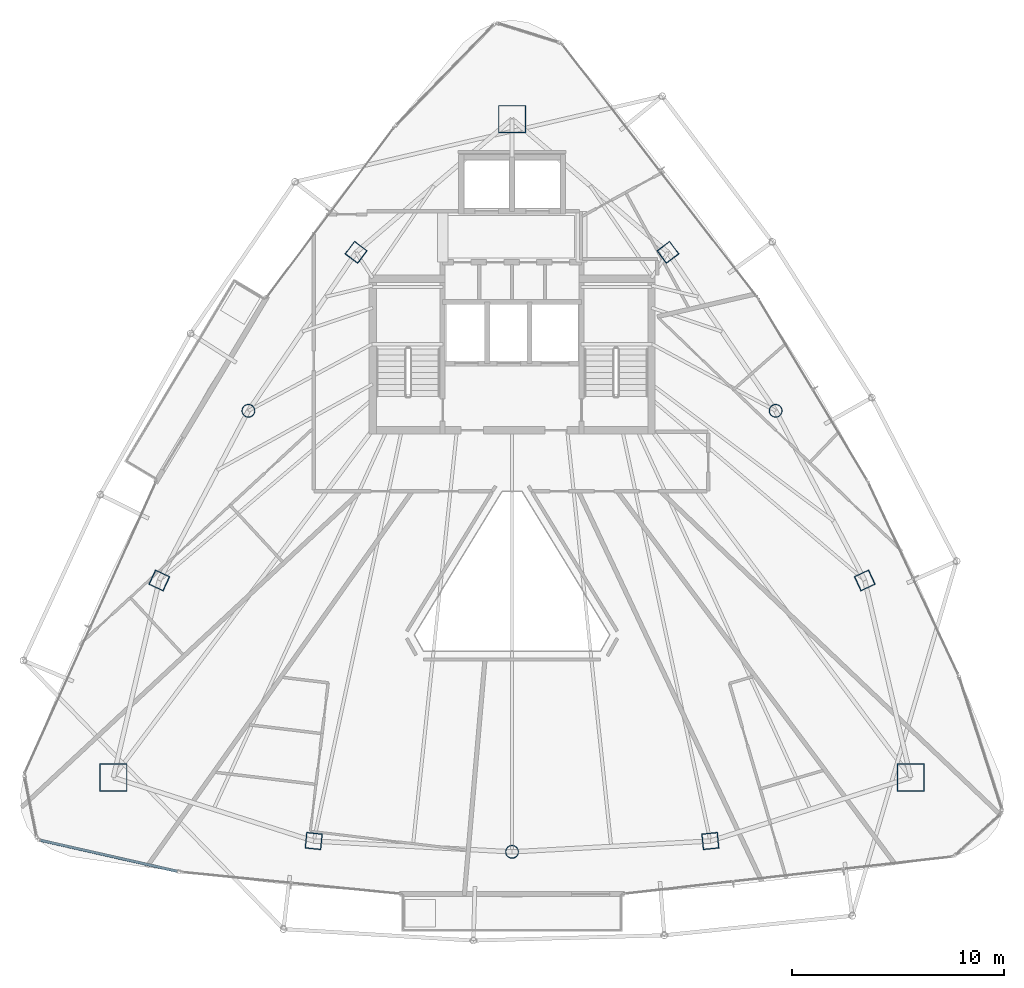
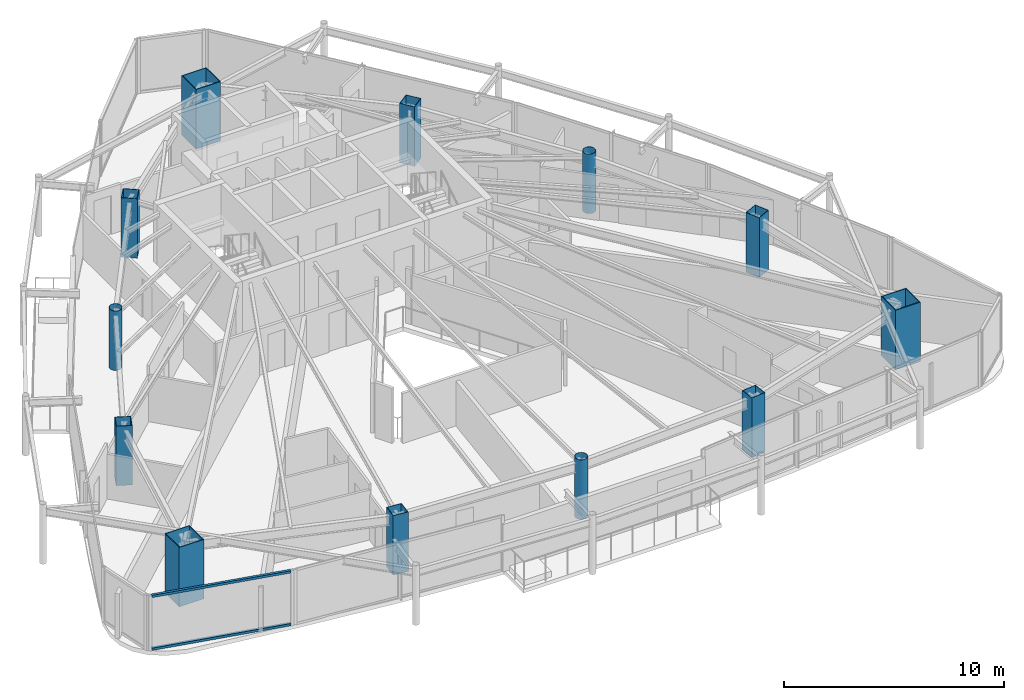
# One storey, part 1 of 32: 12 columns, 2 members, 1 element without a shape of its own.
"""IFC4 building model written with IfcOpenShell, lengths in metres."""

from ifc_helpers import new_model, si_unit, direction, frame, origin, origin_2d, place, context, subcontext, project, spatial, hollow_rectangle, hollow_circle, extrude, material, layer, layer_set, material_profile, profile_set, type_object, element, aggregate, save


model = new_model("IFC4")

# Units and contexts
model_context = context("Model", 3, precision=1e-05, world=origin(), true_north=direction((0.0, 1.0)))
body_context = subcontext(model_context, "Body", "Model", "MODEL_VIEW")
ifc_project = project(units=[si_unit("LENGTHUNIT", "METRE"), si_unit("AREAUNIT", "SQUARE_METRE"), si_unit("VOLUMEUNIT", "CUBIC_METRE"), si_unit("PLANEANGLEUNIT", "RADIAN"), si_unit("MASSUNIT", "GRAM", prefix="KILO")], contexts=[model_context])

# Site, building, storey
site_placement = place(None, origin())
site = spatial("IfcSite", under=ifc_project, at=site_placement, CompositionType="ELEMENT")
building_placement = place(site_placement, origin())
building = spatial("IfcBuilding", under=site, at=building_placement, Name="Orvanel Arch Residences", CompositionType="ELEMENT")
storey_placement = place(building_placement, frame((0.0, 0.0, 219.5)))
storey = spatial("IfcBuildingStorey", under=building, at=storey_placement, Name="L62", CompositionType="ELEMENT", Elevation=219.5)

# Columns
ifc_material_1 = material(Name="Structural steel AS/NZS 1163 C350L0 (Grade 350)", Category="steel")
ifc_material_profile_1 = material_profile(ifc_material_1, hollow_circle(Radius=0.304931640625, WallThickness=0.01611328125, at=origin_2d()), Name="CHS610x16")
ifc_profile_set_1 = profile_set([ifc_material_profile_1], Name="Structural steel AS/NZS 1163 C350L0 (Grade 350)")
column_type_1 = type_object("IfcColumnType", Name="CC-610", PredefinedType="COLUMN", material=ifc_profile_set_1)
for number, where, z_axis, x_axis, name in (
    (1, (20.569091796875, 27.64111328125, 0.0), (0.0, 0.0, 1.0), (1.0, 0.0, 0.0), "L62 High-Rise Tube Column 02"),
    (2, (33.0, 6.843994140625, 0.0), (0.0, 0.0, 1.0), (1.0, 0.0, 0.0), "L62 High-Rise Tube Column 05"),
    (3, (45.430908203125, 27.64111328125, 0.0), (0.0, 0.0, 1.0), (1.0, 0.0, 0.0), "L62 High-Rise Tube Column 08"),
):
    element("IfcColumn", number, at=place(storey_placement, frame(where, z_axis=z_axis, x_axis=x_axis)), inside=storey, type_object=column_type_1, Name=name, PredefinedType="COLUMN", context=body_context, shape_type="SweptSolid", body=[
        extrude(hollow_circle(Radius=0.304931640625, WallThickness=0.01611328125, at=origin_2d()), origin(), (0.0, 0.0, 1.0), 3.300048828125),
    ])
ifc_material_2 = material(Name="Structural steel AS/NZS 3678 Grade 450", Category="steel")
ifc_material_profile_2 = material_profile(ifc_material_2, hollow_rectangle(XDim=1.300048828125, YDim=1.300048828125, WallThickness=0.0400390625, at=origin_2d()), Name="BOX1300x1300x40")
ifc_profile_set_2 = profile_set([ifc_material_profile_2], Name="Structural steel AS/NZS 3678 Grade 450")
column_type_2 = type_object("IfcColumnType", Name="MC-1300", PredefinedType="COLUMN", material=ifc_profile_set_2)
for number, where, z_axis, x_axis, name in (
    (4, (33.0, 41.39794921875, 0.0), (0.0, 0.0, 1.0), (1.0, 0.0, 0.0), "L62 Corner Mega-Column 1"),
    (5, (14.198974609375, 10.35107421875, 0.0), (0.0, 0.0, 1.0), (1.0, 0.0, 0.0), "L62 Corner Mega-Column 2"),
    (6, (51.801025390625, 10.35107421875, 0.0), (0.0, 0.0, 1.0), (1.0, 0.0, 0.0), "L62 Corner Mega-Column 3"),
):
    element("IfcColumn", number, at=place(storey_placement, frame(where, z_axis=z_axis, x_axis=x_axis)), inside=storey, type_object=column_type_2, Name=name, PredefinedType="COLUMN", context=body_context, shape_type="SweptSolid", body=[
        extrude(hollow_rectangle(XDim=1.300048828125, YDim=1.300048828125, WallThickness=0.0400390625, at=origin_2d()), origin(), (0.0, 0.0, 1.0), 3.300048828125),
    ])
ifc_material_3 = material(Name="Structural steel AS/NZS 3678 Grade 350", Category="steel")
ifc_material_profile_3 = material_profile(ifc_material_3, hollow_rectangle(XDim=0.75, YDim=0.75, WallThickness=0.02490234375, at=origin_2d()), Name="BOX750x750x25")
ifc_profile_set_3 = profile_set([ifc_material_profile_3], Name="Structural steel AS/NZS 3678 Grade 350")
column_type_3 = type_object("IfcColumnType", Name="TC-750", PredefinedType="COLUMN", material=ifc_profile_set_3)
for number, where, z_axis, x_axis, name in (
    (7, (25.64794921875, 35.113037109375, 0.0), (0.0, 0.0, 1.0), (0.600420225326, 0.799684658487, 0.0), "L62 High-Rise Tube Column 01"),
    (8, (16.366943359375, 19.64208984375, 0.0), (0.0, 0.0, 1.0), (0.422618261741, 0.906307787037, 0.0), "L62 High-Rise Tube Column 03"),
    (9, (23.64892578125, 7.35498046875, 0.0), (0.0, 0.0, 1.0), (-0.994880708829, 0.101056297183, 0.0), "L62 High-Rise Tube Column 04"),
    (10, (42.35107421875, 7.35498046875, 0.0), (0.0, 0.0, 1.0), (0.994880708829, 0.101056297183, 0.0), "L62 High-Rise Tube Column 06"),
    (11, (49.633056640625, 19.64208984375, 0.0), (0.0, 0.0, 1.0), (-0.422618261741, 0.906307787037, 0.0), "L62 High-Rise Tube Column 07"),
    (12, (40.35205078125, 35.113037109375, 0.0), (0.0, 0.0, 1.0), (-0.600420225326, 0.799684658487, 0.0), "L62 High-Rise Tube Column 09"),
):
    element("IfcColumn", number, at=place(storey_placement, frame(where, z_axis=z_axis, x_axis=x_axis)), inside=storey, type_object=column_type_3, Name=name, PredefinedType="COLUMN", context=body_context, shape_type="SweptSolid", body=[
        extrude(hollow_rectangle(XDim=0.75, YDim=0.75, WallThickness=0.02490234375, at=origin_2d()), origin(), (0.0, 0.0, 1.0), 3.300048828125),
    ])

# Curtain wall, members
ifc_material_4 = material(Name="Bronze-anodised aluminium AA6063-T6", Category="aluminium")
ifc_layer = layer(ifc_material_4, 0.18994140625)
ifc_layer_set = layer_set([ifc_layer], Name="Bronze-anodised aluminium AA6063-T6")
curtain_wall_type = type_object("IfcCurtainWallType", Name="CW5-CRN-SYS", PredefinedType="NOTDEFINED", material=ifc_layer_set)
curtain_wall_placement = place(storey_placement, origin())
curtain_wall = element("IfcCurtainWall", 13, at=curtain_wall_placement, inside=storey, type_object=curtain_wall_type, Name="L62 CW5-CRN-SYS Unitised Curtain Wall", PredefinedType="NOTDEFINED")
ifc_material_profile_4 = material_profile(ifc_material_4, hollow_rectangle(XDim=0.1298828125, YDim=0.1298828125, WallThickness=0.00439453125, at=origin_2d()), Name="ALU130x130x4.5")
ifc_profile_set_4 = profile_set([ifc_material_profile_4], Name="Bronze-anodised aluminium AA6063-T6")
member_type = type_object("IfcMemberType", Name="TRN-130x130", PredefinedType="USERDEFINED", material=ifc_profile_set_4)
member_1_placement = place(storey_placement, frame((10.764404296875, 7.393798828125, 0.06494140625), z_axis=(0.975232423085, -0.22118255122, 0.0), x_axis=(0.22118255122, 0.975232423085, 0.0)))
member_1 = element("IfcMember", 14, at=member_1_placement, type_object=member_type, Name="CW-S5 transom 1.1", ObjectType="TRANSOM", PredefinedType="USERDEFINED", context=body_context, shape_type="SweptSolid", body=[
    extrude(hollow_rectangle(XDim=0.1298828125, YDim=0.1298828125, WallThickness=0.00439453125, at=origin_2d()), origin(), (0.0, 0.0, 1.0), 6.6171875),
])
member_2_placement = place(storey_placement, frame((10.764404296875, 7.393798828125, 2.9951171875), z_axis=(0.975232423085, -0.22118255122, 0.0), x_axis=(0.22118255122, 0.975232423085, 0.0)))
member_2 = element("IfcMember", 15, at=member_2_placement, type_object=member_type, Name="CW-S5 transom 1.2", ObjectType="TRANSOM", PredefinedType="USERDEFINED", context=body_context, shape_type="SweptSolid", body=[
    extrude(hollow_rectangle(XDim=0.1298828125, YDim=0.1298828125, WallThickness=0.00439453125, at=origin_2d()), origin(), (0.0, 0.0, 1.0), 6.6171875),
])
aggregate(curtain_wall, [member_1, member_2])

save(model, "model.ifc")
